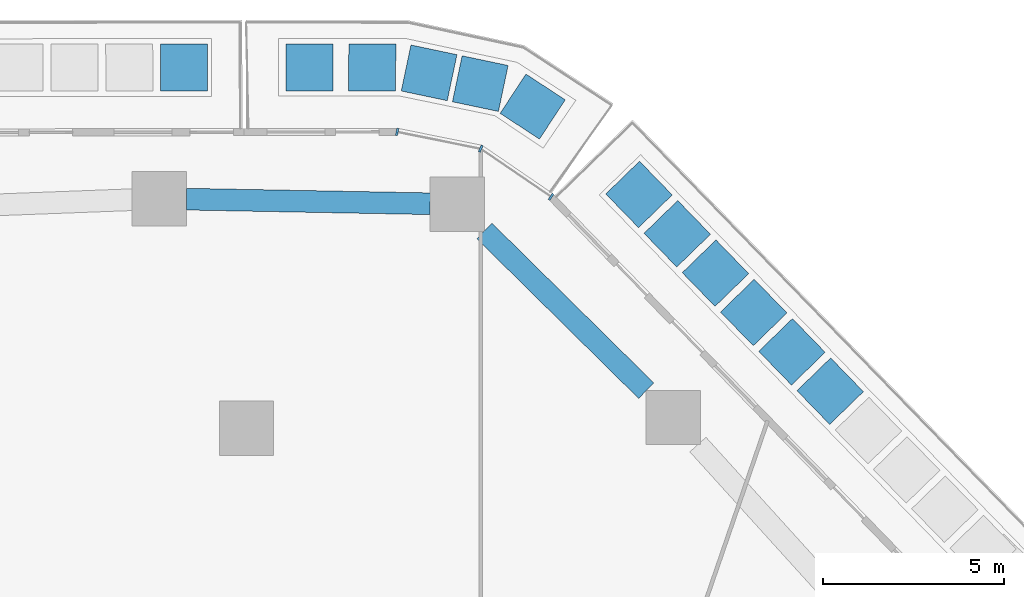
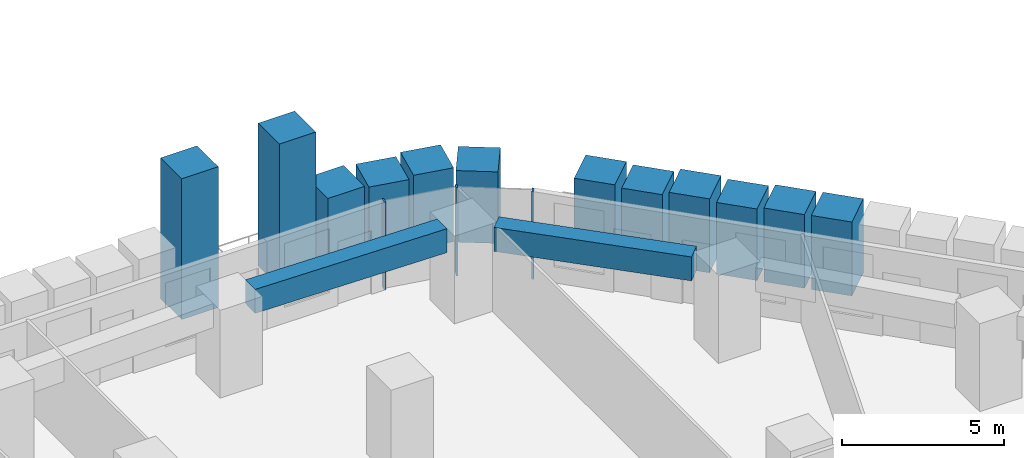
# One storey, part 10 of 26: 15 members, 2 beams, 1 element without a shape of its own.
"""IFC4 building model written with IfcOpenShell, lengths in metres."""

from ifc_helpers import new_model, si_unit, direction, frame, origin, origin_2d, place, context, subcontext, project, spatial, rectangle, extrude, material, layer, layer_set, material_profile, profile_set, type_object, element, aggregate, save


model = new_model("IFC4")

# Units and contexts
model_context = context("Model", 3, precision=1e-05, world=origin(), true_north=direction((0.0, 1.0)))
body_context = subcontext(model_context, "Body", "Model", "MODEL_VIEW")
ifc_project = project(units=[si_unit("LENGTHUNIT", "METRE"), si_unit("AREAUNIT", "SQUARE_METRE"), si_unit("VOLUMEUNIT", "CUBIC_METRE"), si_unit("PLANEANGLEUNIT", "RADIAN"), si_unit("MASSUNIT", "GRAM", prefix="KILO")], contexts=[model_context])

# Site, building, storey
site_placement = place(None, origin())
site = spatial("IfcSite", under=ifc_project, at=site_placement, CompositionType="ELEMENT")
building_placement = place(site_placement, origin())
building = spatial("IfcBuilding", under=site, at=building_placement, Name="Dongbaek Canopy Tower", CompositionType="ELEMENT")
storey_placement = place(building_placement, frame((0.0, 0.0, 73.60009765625)))
storey = spatial("IfcBuildingStorey", under=building, at=storey_placement, Name="L14", CompositionType="ELEMENT", Elevation=73.60009765625)

# Curtain wall, members
ifc_material_1 = material(Name="Aluminium 6063-T6 pale anodised", Category="aluminium")
ifc_layer = layer(ifc_material_1, 0.199951171875)
ifc_layer_set = layer_set([ifc_layer], Name="CW-1 unitised tower curtain wall")
curtain_wall_type = type_object("IfcCurtainWallType", Name="CW-1 unitised tower curtain wall", PredefinedType="NOTDEFINED", material=ifc_layer_set)
curtain_wall_placement = place(storey_placement, origin())
curtain_wall = element("IfcCurtainWall", 1, at=curtain_wall_placement, inside=storey, type_object=curtain_wall_type, Name="CW-1 curtain wall K1.1", PredefinedType="NOTDEFINED")
ifc_material_2 = material(Name="Aluminium 6063-T6 pale anodised", Category="aluminium")
ifc_material_profile_1 = material_profile(ifc_material_2, rectangle(XDim=0.199951171875, YDim=0.06005859375, at=origin_2d()), Name="CW-1 mullion 60 x 200")
ifc_profile_set_1 = profile_set([ifc_material_profile_1], Name="Aluminium 6063-T6 pale anodised")
member_type_1 = type_object("IfcMemberType", Name="CW-1 mullion 60 x 200", PredefinedType="MULLION", material=ifc_profile_set_1)
member_1_placement = place(storey_placement, frame((17.42236328125, 33.400146484375, 0.0), z_axis=(0.0, 0.0, 1.0), x_axis=(0.564195527321, 0.825641209577, 0.0)))
member_1 = element("IfcMember", 2, at=member_1_placement, type_object=member_type_1, Name="CW-1 mullion K1.1.1", PredefinedType="MULLION", context=body_context, shape_type="SweptSolid", body=[
    extrude(rectangle(XDim=0.199951171875, YDim=0.06005859375, at=origin_2d()), origin(), (0.0, 0.0, 1.0), 3.2998046875),
])
member_2_placement = place(storey_placement, frame((15.47607421875, 34.72998046875, 0.0), z_axis=(0.0, 0.0, 1.0), x_axis=(0.388645391083, 0.921387410371, 0.0)))
member_2 = element("IfcMember", 3, at=member_2_placement, type_object=member_type_1, Name="CW-1 mullion K1.1.2", PredefinedType="MULLION", context=body_context, shape_type="SweptSolid", body=[
    extrude(rectangle(XDim=0.199951171875, YDim=0.06005859375, at=origin_2d()), origin(), (0.0, 0.0, 1.0), 3.2998046875),
])
member_3_placement = place(storey_placement, frame((13.16552734375, 35.19580078125, 0.0), z_axis=(0.0, 0.0, 1.0), x_axis=(0.19755519685, 0.980291764832, 0.0)))
member_3 = element("IfcMember", 4, at=member_3_placement, type_object=member_type_1, Name="CW-1 mullion K1.1.3", PredefinedType="MULLION", context=body_context, shape_type="SweptSolid", body=[
    extrude(rectangle(XDim=0.199951171875, YDim=0.06005859375, at=origin_2d()), origin(), (0.0, 0.0, 1.0), 3.2998046875),
])
aggregate(curtain_wall, [member_1, member_2, member_3])

# Beams
ifc_material_3 = material(Name="Concrete C80", Category="concrete")
ifc_material_profile_2 = material_profile(ifc_material_3, rectangle(XDim=0.60009765625, YDim=0.89990234375, at=origin_2d()), Name="RC EDGE BEAM 600x900 C80")
ifc_profile_set_2 = profile_set([ifc_material_profile_2], Name="Concrete C80")
beam_type = type_object("IfcBeamType", Name="RC EDGE BEAM 600x900 C80", PredefinedType="BEAM", material=ifc_profile_set_2)
beam_1_placement = place(storey_placement, frame((7.339111328125, 33.3349609375, 2.849853515625), z_axis=(0.999822704828, -0.018829734762, 0.0), x_axis=(0.018829734762, 0.999822704828, 0.0)))
element("IfcBeam", 5, at=beam_1_placement, inside=storey, type_object=beam_type, Name="EDGEBEAM:L14:16", PredefinedType="BEAM", context=body_context, shape_type="SweptSolid", body=[
    extrude(rectangle(XDim=0.60009765625, YDim=0.89990234375, at=origin_2d()), origin(), (0.0, 0.0, 1.0), 6.7421875),
])
beam_2_placement = place(storey_placement, frame((15.580078125, 32.453857421875, 2.849853515625), z_axis=(0.711712436236, -0.702470930435, 0.0), x_axis=(0.702470930435, 0.711712436236, 0.0)))
element("IfcBeam", 6, at=beam_2_placement, inside=storey, type_object=beam_type, Name="EDGEBEAM:L14:17", PredefinedType="BEAM", context=body_context, shape_type="SweptSolid", body=[
    extrude(rectangle(XDim=0.60009765625, YDim=0.89990234375, at=origin_2d()), origin(), (0.0, 0.0, 1.0), 6.287353515625),
])

# Members
ifc_material_4 = material(Name="Concrete C40/50 planter mass with planting", Category="concrete")
ifc_material_profile_3 = material_profile(ifc_material_4, rectangle(XDim=1.300048828125, YDim=1.300048828125, at=origin_2d()), Name="Terrace PLANTER shrub mass 1300 x 1300")
ifc_profile_set_3 = profile_set([ifc_material_profile_3], Name="Concrete C40/50 planter mass with planting")
member_type_2 = type_object("IfcMemberType", Name="Terrace PLANTER shrub mass 1300 x 1300", PredefinedType="USERDEFINED", material=ifc_profile_set_3)
member_4_placement = place(storey_placement, frame((25.142333984375, 28.02392578125, 0.419921875), z_axis=(0.0, 0.0, 1.0), x_axis=(0.717186200853, 0.696881592027, 0.0)))
element("IfcMember", 7, at=member_4_placement, inside=storey, type_object=member_type_2, Name="Planter shrubs L14 1.8", ObjectType="PLANTER", PredefinedType="USERDEFINED", context=body_context, shape_type="SweptSolid", body=[
    extrude(rectangle(XDim=1.300048828125, YDim=1.300048828125, at=origin_2d()), origin(), (0.0, 0.0, 1.0), 2.780029296875),
])
member_5_placement = place(storey_placement, frame((24.084716796875, 29.112060546875, 0.419921875), z_axis=(0.0, 0.0, 1.0), x_axis=(0.717186200853, 0.696881592027, 0.0)))
element("IfcMember", 8, at=member_5_placement, inside=storey, type_object=member_type_2, Name="Planter shrubs L14 1.9", ObjectType="PLANTER", PredefinedType="USERDEFINED", context=body_context, shape_type="SweptSolid", body=[
    extrude(rectangle(XDim=1.300048828125, YDim=1.300048828125, at=origin_2d()), origin(), (0.0, 0.0, 1.0), 2.77001953125),
])
member_6_placement = place(storey_placement, frame((23.02734375, 30.200439453125, 0.419921875), z_axis=(0.0, 0.0, 1.0), x_axis=(0.717186200853, 0.696881592027, 0.0)))
element("IfcMember", 9, at=member_6_placement, inside=storey, type_object=member_type_2, Name="Planter shrubs L14 1.10", ObjectType="PLANTER", PredefinedType="USERDEFINED", context=body_context, shape_type="SweptSolid", body=[
    extrude(rectangle(XDim=1.300048828125, YDim=1.300048828125, at=origin_2d()), origin(), (0.0, 0.0, 1.0), 2.68994140625),
])
member_7_placement = place(storey_placement, frame((21.969970703125, 31.28857421875, 0.419921875), z_axis=(0.0, 0.0, 1.0), x_axis=(0.717186200853, 0.696881592027, 0.0)))
element("IfcMember", 10, at=member_7_placement, inside=storey, type_object=member_type_2, Name="Planter shrubs L14 1.11", ObjectType="PLANTER", PredefinedType="USERDEFINED", context=body_context, shape_type="SweptSolid", body=[
    extrude(rectangle(XDim=1.300048828125, YDim=1.300048828125, at=origin_2d()), origin(), (0.0, 0.0, 1.0), 2.780029296875),
])
member_8_placement = place(storey_placement, frame((20.91259765625, 32.376953125, 0.419921875), z_axis=(0.0, 0.0, 1.0), x_axis=(0.717186200853, 0.696881592027, 0.0)))
element("IfcMember", 11, at=member_8_placement, inside=storey, type_object=member_type_2, Name="Planter shrubs L14 1.12", ObjectType="PLANTER", PredefinedType="USERDEFINED", context=body_context, shape_type="SweptSolid", body=[
    extrude(rectangle(XDim=1.300048828125, YDim=1.300048828125, at=origin_2d()), origin(), (0.0, 0.0, 1.0), 2.64990234375),
])
member_9_placement = place(storey_placement, frame((19.85498046875, 33.465087890625, 0.419921875), z_axis=(0.0, 0.0, 1.0), x_axis=(0.717186200853, 0.696881592027, 0.0)))
element("IfcMember", 12, at=member_9_placement, inside=storey, type_object=member_type_2, Name="Planter shrubs L14 1.13", ObjectType="PLANTER", PredefinedType="USERDEFINED", context=body_context, shape_type="SweptSolid", body=[
    extrude(rectangle(XDim=1.300048828125, YDim=1.300048828125, at=origin_2d()), origin(), (0.0, 0.0, 1.0), 2.72998046875),
])
member_10_placement = place(storey_placement, frame((7.273681640625, 36.977294921875, 0.419921875), z_axis=(0.0, 0.0, 1.0), x_axis=(-0.00143427852, 0.999998971422, 0.0)))
element("IfcMember", 13, at=member_10_placement, inside=storey, type_object=member_type_2, Name="Planter tree L14 2.1", ObjectType="PLANTER", PredefinedType="USERDEFINED", context=body_context, shape_type="SweptSolid", body=[
    extrude(rectangle(XDim=1.300048828125, YDim=1.300048828125, at=origin_2d()), origin(), (0.0, 0.0, 1.0), 5.2900390625),
])
member_11_placement = place(storey_placement, frame((16.914306640625, 35.894775390625, 0.419921875), z_axis=(0.0, 0.0, 1.0), x_axis=(0.548368961582, 0.836236498829, 0.0)))
element("IfcMember", 14, at=member_11_placement, inside=storey, type_object=member_type_2, Name="Planter shrubs L14 6.1", ObjectType="PLANTER", PredefinedType="USERDEFINED", context=body_context, shape_type="SweptSolid", body=[
    extrude(rectangle(XDim=1.300048828125, YDim=1.300048828125, at=origin_2d()), origin(), (0.0, 0.0, 1.0), 2.68994140625),
])
member_12_placement = place(storey_placement, frame((15.46484375, 36.5302734375, 0.419921875), z_axis=(0.0, 0.0, 1.0), x_axis=(0.206127523953, 0.978525137065, 0.0)))
element("IfcMember", 15, at=member_12_placement, inside=storey, type_object=member_type_2, Name="Planter shrubs L14 6.2", ObjectType="PLANTER", PredefinedType="USERDEFINED", context=body_context, shape_type="SweptSolid", body=[
    extrude(rectangle(XDim=1.300048828125, YDim=1.300048828125, at=origin_2d()), origin(), (0.0, 0.0, 1.0), 2.780029296875),
])
member_13_placement = place(storey_placement, frame((14.049560546875, 36.828369140625, 0.419921875), z_axis=(0.0, 0.0, 1.0), x_axis=(0.206127523953, 0.978525137065, 0.0)))
element("IfcMember", 16, at=member_13_placement, inside=storey, type_object=member_type_2, Name="Planter shrubs L14 6.3", ObjectType="PLANTER", PredefinedType="USERDEFINED", context=body_context, shape_type="SweptSolid", body=[
    extrude(rectangle(XDim=1.300048828125, YDim=1.300048828125, at=origin_2d()), origin(), (0.0, 0.0, 1.0), 2.64990234375),
])
member_14_placement = place(storey_placement, frame((12.476806640625, 36.978515625, 0.419921875), z_axis=(0.0, 0.0, 1.0), x_axis=(0.001013072927, 0.999999486841, 0.0)))
element("IfcMember", 17, at=member_14_placement, inside=storey, type_object=member_type_2, Name="Planter shrubs L14 6.4", ObjectType="PLANTER", PredefinedType="USERDEFINED", context=body_context, shape_type="SweptSolid", body=[
    extrude(rectangle(XDim=1.300048828125, YDim=1.300048828125, at=origin_2d()), origin(), (0.0, 0.0, 1.0), 2.72998046875),
])
member_15_placement = place(storey_placement, frame((10.746826171875, 36.980224609375, 0.419921875), z_axis=(0.0, 0.0, 1.0), x_axis=(0.001013072927, 0.999999486841, 0.0)))
element("IfcMember", 18, at=member_15_placement, inside=storey, type_object=member_type_2, Name="Planter tree L14 6.5", ObjectType="PLANTER", PredefinedType="USERDEFINED", context=body_context, shape_type="SweptSolid", body=[
    extrude(rectangle(XDim=1.300048828125, YDim=1.300048828125, at=origin_2d()), origin(), (0.0, 0.0, 1.0), 5.3798828125),
])

save(model, "model.ifc")
